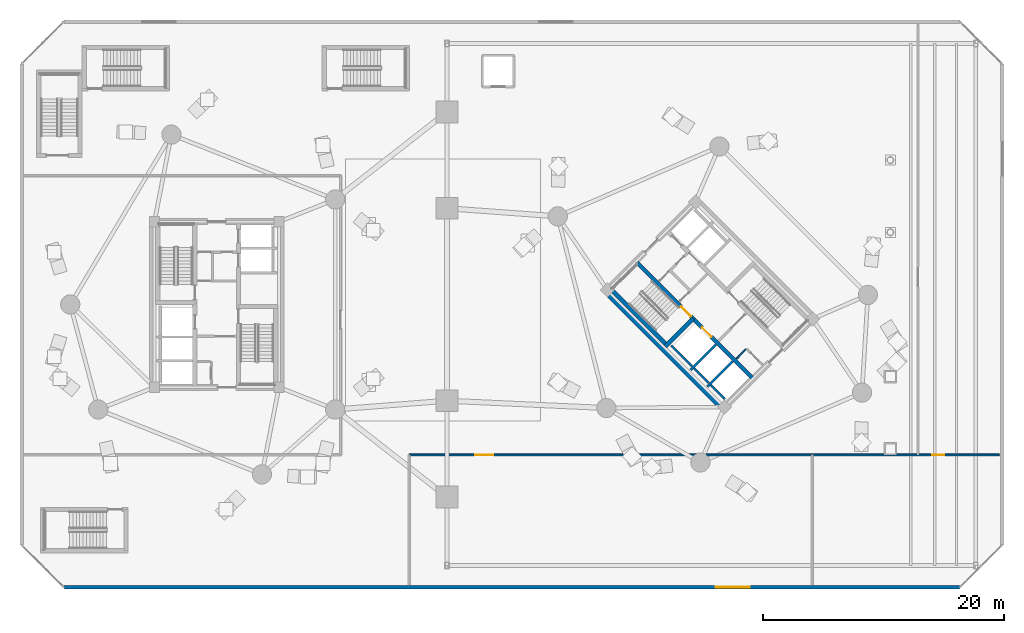
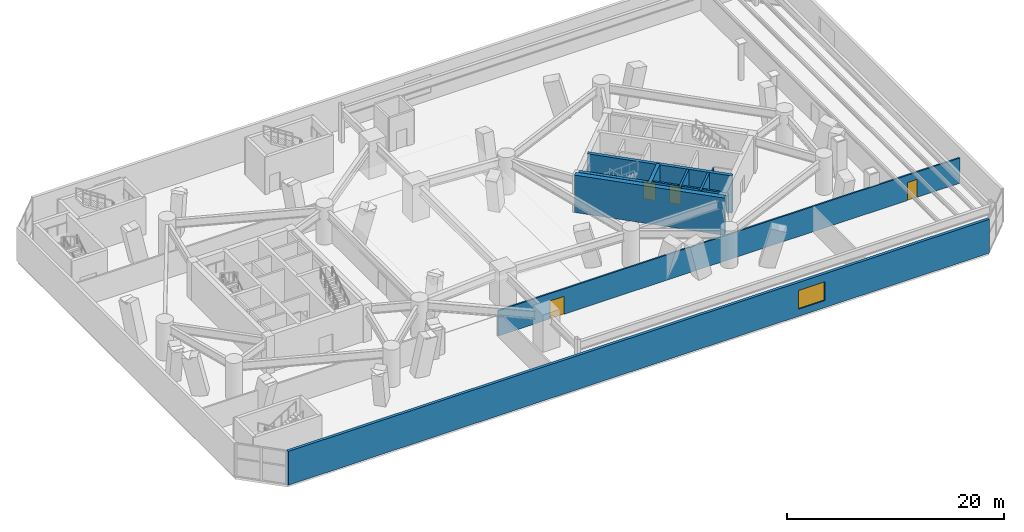
# One storey, part 12 of 20: 12 walls, 4 doors, 1 window, 5 openings.
"""IFC4 building model written with IfcOpenShell, lengths in metres."""

from ifc_helpers import new_model, si_unit, direction, frame, frame_2d, origin, place, context, subcontext, project, spatial, rectangle, extrude, source, transform, mapped, material, layer, layer_set, type_object, element, fill, save


model = new_model("IFC4")

# Units and contexts
model_context = context("Model", 3, precision=1e-05, world=origin(), true_north=direction((0.0, 1.0)))
body_context = subcontext(model_context, "Body", "Model", "MODEL_VIEW")
ifc_project = project(units=[si_unit("LENGTHUNIT", "METRE"), si_unit("AREAUNIT", "SQUARE_METRE"), si_unit("VOLUMEUNIT", "CUBIC_METRE"), si_unit("PLANEANGLEUNIT", "RADIAN"), si_unit("MASSUNIT", "GRAM", prefix="KILO")], contexts=[model_context])

# Site, building, storey
site_placement = place(None, origin())
site = spatial("IfcSite", under=ifc_project, at=site_placement, CompositionType="ELEMENT")
building_placement = place(site_placement, origin())
building = spatial("IfcBuilding", under=site, at=building_placement, Name="Cununo Teusaquillo Station Towers", CompositionType="ELEMENT")
storey_placement = place(building_placement, frame((0.0, 0.0, 13.199951171875)))
storey = spatial("IfcBuildingStorey", under=building, at=storey_placement, Name="L03", CompositionType="ELEMENT", Elevation=13.199951171875)

# Walls
ifc_material_1 = material(Name="Concrete C50/60", Category="concrete")
ifc_layer_1 = layer(ifc_material_1, 0.199951171875)
ifc_layer_set_1 = layer_set([ifc_layer_1], Name="Concrete C50/60")
wall_type_1 = type_object("IfcWallType", Name="WL-CORE-200", PredefinedType="SHEAR", material=ifc_layer_set_1)
wall_1_placement = place(storey_placement, frame((55.8876953125, 19.0693359375, 0.0), z_axis=(0.0, 0.0, 1.0), x_axis=(0.707106781187, 0.707106781187, 0.0)))
element("IfcWall", 1, at=wall_1_placement, inside=storey, type_object=wall_type_1, Name="L03 Tower B Firefighting Lift Shaft South Shear Wall", PredefinedType="SHEAR", context=body_context, shape_type="SweptSolid", body=[
    extrude(rectangle(XDim=2.969970703125, YDim=0.199951171875, at=frame_2d((1.48486328125, 0.0))), origin(), (0.0, 0.0, 1.0), 4.199951171875),
])
wall_2_placement = place(storey_placement, frame((56.01513671875, 19.366455078125, 0.0), z_axis=(0.0, 0.0, 1.0), x_axis=(-0.707106781187, 0.707106781187, 0.0)))
element("IfcWall", 2, at=wall_2_placement, inside=storey, type_object=wall_type_1, Name="L03 Tower B Firefighting Lift Shaft Rear Shear Wall", PredefinedType="SHEAR", context=body_context, shape_type="SweptSolid", body=[
    extrude(rectangle(XDim=2.43994140625, YDim=0.199951171875, at=frame_2d((1.219970703125, 0.0))), origin(), (0.0, 0.0, 1.0), 4.199951171875),
])
wall_3_placement = place(storey_placement, frame((57.2841796875, 17.6728515625, 0.0), z_axis=(0.0, 0.0, 1.0), x_axis=(0.707147878904, 0.70706568108, 0.0)))
element("IfcWall", 3, at=wall_3_placement, inside=storey, type_object=wall_type_1, Name="L03 Tower B High-Rise Lift Hoistway Divider Shear Wall", PredefinedType="SHEAR", context=body_context, shape_type="SweptSolid", body=[
    extrude(rectangle(XDim=2.97021484375, YDim=0.199951171875, at=frame_2d((1.485107421875, 0.0))), origin(), (0.0, 0.0, 1.0), 4.199951171875),
])
wall_4_placement = place(storey_placement, frame((57.41162109375, 17.969970703125, 0.0), z_axis=(0.0, 0.0, 1.0), x_axis=(-0.707106781187, 0.707106781187, 0.0)))
element("IfcWall", 4, at=wall_4_placement, inside=storey, type_object=wall_type_1, Name="L03 Tower B High-Rise Lift 2 Shaft Rear Shear Wall", PredefinedType="SHEAR", context=body_context, shape_type="SweptSolid", body=[
    extrude(rectangle(XDim=1.73486328125, YDim=0.199951171875, at=frame_2d((0.867431640625, 0.0))), origin(), (0.0, 0.0, 1.0), 4.199951171875),
])
wall_5_placement = place(storey_placement, frame((58.7373046875, 16.64404296875, 0.0), z_axis=(0.0, 0.0, 1.0), x_axis=(-0.707032117043, 0.707181437447, 0.0)))
element("IfcWall", 5, at=wall_5_placement, inside=storey, type_object=wall_type_1, Name="L03 Tower B High-Rise Lift 1 Shaft Rear Shear Wall", PredefinedType="SHEAR", context=body_context, shape_type="SweptSolid", body=[
    extrude(rectangle(XDim=1.635009765625, YDim=0.199951171875, at=frame_2d((0.8173828125, 0.0))), origin(), (0.0, 0.0, 1.0), 4.199951171875),
])

# Wall, openings, doors
ifc_material_2 = material(Name="Concrete C50/60", Category="concrete")
ifc_layer_2 = layer(ifc_material_2, 0.35009765625)
ifc_layer_set_2 = layer_set([ifc_layer_2], Name="Concrete C50/60")
wall_type_2 = type_object("IfcWallType", Name="WL-CORE-350", PredefinedType="SHEAR", material=ifc_layer_set_2)
wall_6_placement = place(storey_placement, frame((61.095703125, 18.337646484375, 0.0), z_axis=(0.0, 0.0, 1.0), x_axis=(-0.707106781187, 0.707106781187, 0.0)))
wall_6 = element("IfcWall", 6, at=wall_6_placement, inside=storey, type_object=wall_type_2, Name="L03 Tower B Core Shear Wall IW", PredefinedType="SHEAR", context=body_context, shape_type="SweptSolid", body=[
    extrude(rectangle(XDim=13.800048828125, YDim=0.35009765625, at=frame_2d((6.89990234375, 0.0))), origin(), (0.0, 0.0, 1.0), 4.199951171875),
])
shared_shape_1 = source(origin(), body_context, "Body", "SweptSolid", [
    extrude(rectangle(XDim=1.10009765625, YDim=2.014892578125, at=frame_2d((0.550048828125, 1.00732421875))), frame((0.0, 0.18505859375, 0.0), z_axis=(0.0, -1.0, 0.0), x_axis=(1.0, 0.0, 0.0)), (0.0, 0.0, 1.0), 0.3701171875),
])
opening_1_placement = place(wall_6_placement, frame((4.89990234375, 0.0, 0.0)))
opening_1 = element("IfcOpeningElement", 7, at=opening_1_placement, cuts=wall_6, Name="Opening LD-01", PredefinedType="OPENING", context=body_context, shape_type="MappedRepresentation", body=[
    mapped(shared_shape_1, transform((0.0, 0.0, 0.0), x_axis=(1.0, 0.0, 0.0), y_axis=(0.0, 1.0, 0.0), z_axis=(0.0, 0.0, 1.0), scale=1.0)),
])
shared_shape_2 = source(origin(), body_context, "Body", "SweptSolid", [
    extrude(rectangle(XDim=1.14990234375, YDim=2.02001953125, at=frame_2d((0.574951171875, 1.010009765625))), frame((0.0, 0.18505859375, 0.0), z_axis=(0.0, -1.0, 0.0), x_axis=(1.0, 0.0, 0.0)), (0.0, 0.0, 1.0), 0.3701171875),
])
opening_2_placement = place(wall_6_placement, frame((7.320068359375, 0.0, 0.0)))
opening_2 = element("IfcOpeningElement", 8, at=opening_2_placement, cuts=wall_6, Name="Opening D-ST1", PredefinedType="OPENING", context=body_context, shape_type="MappedRepresentation", body=[
    mapped(shared_shape_2, transform((0.0, 0.0, 0.0), x_axis=(1.0, 0.0, 0.0), y_axis=(0.0, 1.0, 0.0), z_axis=(0.0, 0.0, 1.0), scale=1.0)),
])
ifc_material_3 = material(Name="Galvanised fire-rated hollow steel door assembly", Category="steel")
door_type_1 = type_object("IfcDoorType", Name="DR-LIFT-1100", OperationType="SLIDING_TO_LEFT", PredefinedType="DOOR", material=ifc_material_3)
shared_shape_3 = source(origin(), body_context, "Body", "SweptSolid", [
    extrude(rectangle(XDim=1.10009765625, YDim=2.014892578125, at=frame_2d((0.550048828125, 1.00732421875))), frame((0.0, 0.02490234375, 0.0), z_axis=(0.0, -1.0, 0.0), x_axis=(1.0, 0.0, 0.0)), (0.0, 0.0, 1.0), 0.050048828125),
])
door_1_placement = place(opening_1_placement, origin())
door_1 = element("IfcDoor", 9, at=door_1_placement, inside=storey, type_object=door_type_1, Name="L03 Lift FL-T2 Sliding Landing Door", OperationType="SLIDING_TO_LEFT", OverallHeight=2.014892578125, OverallWidth=1.10009765625, PredefinedType="DOOR", context=body_context, shape_type="MappedRepresentation", body=[
    mapped(shared_shape_3, transform((0.0, 0.0, 0.0), x_axis=(1.0, 0.0, 0.0), y_axis=(0.0, 1.0, 0.0), z_axis=(0.0, 0.0, 1.0), scale=1.0)),
])
fill(opening_1, door_1)
ifc_material_4 = material(Name="Galvanised fire-rated hollow steel door assembly", Category="steel")
door_type_2 = type_object("IfcDoorType", Name="DR-STAIR-1150", OperationType="NOTDEFINED", PredefinedType="DOOR", material=ifc_material_4)
shared_shape_4 = source(origin(), body_context, "Body", "SweptSolid", [
    extrude(rectangle(XDim=1.14990234375, YDim=2.02001953125, at=frame_2d((0.574951171875, 1.010009765625))), frame((0.0, 0.02490234375, 0.0), z_axis=(0.0, -1.0, 0.0), x_axis=(1.0, 0.0, 0.0)), (0.0, 0.0, 1.0), 0.050048828125),
])
door_2_placement = place(opening_2_placement, origin())
door_2 = element("IfcDoor", 10, at=door_2_placement, inside=storey, type_object=door_type_2, Name="L03 Tower B Exit Stair 1 Fire Door", OperationType="SINGLE_SWING_LEFT", OverallHeight=2.02001953125, OverallWidth=1.14990234375, PredefinedType="DOOR", context=body_context, shape_type="MappedRepresentation", body=[
    mapped(shared_shape_4, transform((0.0, 0.0, 0.0), x_axis=(1.0, 0.0, 0.0), y_axis=(0.0, 1.0, 0.0), z_axis=(0.0, 0.0, 1.0), scale=1.0)),
])
fill(opening_2, door_2)

# Walls
wall_7_placement = place(storey_placement, frame((53.922119140625, 21.14111328125, 0.0), z_axis=(0.0, 0.0, 1.0), x_axis=(-0.707106781187, 0.707106781187, 0.0)))
element("IfcWall", 11, at=wall_7_placement, inside=storey, type_object=wall_type_2, Name="L03 Tower B Core Shear Wall ST1W", PredefinedType="SHEAR", context=body_context, shape_type="SweptSolid", body=[
    extrude(rectangle(XDim=6.7451171875, YDim=0.35009765625, at=frame_2d((3.37255859375, 0.0))), origin(), (0.0, 0.0, 1.0), 4.199951171875),
])
wall_8_placement = place(storey_placement, frame((53.7841796875, 21.00341796875, 0.0), z_axis=(0.0, 0.0, 1.0), x_axis=(0.707106781187, 0.707106781187, 0.0)))
element("IfcWall", 12, at=wall_8_placement, inside=storey, type_object=wall_type_2, Name="L03 Tower B Core Shear Wall ST1S", PredefinedType="SHEAR", context=body_context, shape_type="SweptSolid", body=[
    extrude(rectangle(XDim=3.284912109375, YDim=0.35009765625, at=frame_2d((1.642578125, 0.0))), origin(), (0.0, 0.0, 1.0), 4.199951171875),
])
ifc_material_5 = material(Name="Concrete C60/75", Category="concrete")
ifc_layer_3 = layer(ifc_material_5, 0.5)
ifc_layer_set_3 = layer_set([ifc_layer_3], Name="Concrete C60/75")
wall_type_3 = type_object("IfcWallType", Name="WL-CORE-500", PredefinedType="SHEAR", material=ifc_layer_set_3)
wall_9_placement = place(storey_placement, frame((58.772705078125, 15.6611328125, 0.0), z_axis=(0.0, 0.0, 1.0), x_axis=(-0.707106781187, 0.707106781187, 0.0)))
element("IfcWall", 13, at=wall_9_placement, inside=storey, type_object=wall_type_3, Name="L03 Tower B Core Shear Wall W", PredefinedType="SHEAR", context=body_context, shape_type="SweptSolid", body=[
    extrude(rectangle(XDim=14.2998046875, YDim=0.5, at=frame_2d((7.14990234375, 0.0))), origin(), (0.0, 0.0, 1.0), 4.199951171875),
])

# Wall, opening, window
ifc_material_6 = material(Name="Precast concrete C40/50", Category="concrete")
ifc_layer_4 = layer(ifc_material_6, 0.300048828125)
ifc_layer_set_4 = layer_set([ifc_layer_4], Name="Precast concrete C40/50")
wall_type_4 = type_object("IfcWallType", Name="WL-EXT-300", PredefinedType="SOLIDWALL", material=ifc_layer_set_4)
wall_10_placement = place(storey_placement, frame((78.300048828125, 1.0, 0.0), z_axis=(0.0, 0.0, 1.0), x_axis=(-1.0, 0.0, 0.0)))
wall_10 = element("IfcWall", 14, at=wall_10_placement, inside=storey, type_object=wall_type_4, Name="L03 Station Podium Facade Wall 7", PredefinedType="SOLIDWALL", context=body_context, shape_type="SweptSolid", body=[
    extrude(rectangle(XDim=74.5, YDim=0.300048828125, at=frame_2d((37.25, 0.0))), origin(), (0.0, 0.0, 1.0), 3.800048828125),
])
shared_shape_5 = source(origin(), body_context, "Body", "SweptSolid", [
    extrude(rectangle(XDim=2.800048828125, YDim=2.10009765625, at=frame_2d((1.39990234375, 1.050048828125))), frame((0.0, 0.159912109375, 0.0), z_axis=(0.0, -1.0, 0.0), x_axis=(1.0, 0.0, 0.0)), (0.0, 0.0, 1.0), 0.320068359375),
])
opening_3_placement = place(wall_10_placement, frame((17.5, 0.0, 0.800048828125)))
opening_3 = element("IfcOpeningElement", 15, at=opening_3_placement, cuts=wall_10, Name="Opening WN-05", PredefinedType="OPENING", context=body_context, shape_type="MappedRepresentation", body=[
    mapped(shared_shape_5, transform((0.0, 0.0, 0.0), x_axis=(1.0, 0.0, 0.0), y_axis=(0.0, 1.0, 0.0), z_axis=(0.0, 0.0, 1.0), scale=1.0)),
])
ifc_material_7 = material(Name="Laminated acoustic clear low-E glazing", Category="glass")
window_type = type_object("IfcWindowType", Name="WIN-POD-2800", PartitioningType="TRIPLE_PANEL_VERTICAL", PredefinedType="WINDOW", material=ifc_material_7)
shared_shape_6 = source(origin(), body_context, "Body", "SweptSolid", [
    extrude(rectangle(XDim=2.800048828125, YDim=2.10009765625, at=frame_2d((1.39990234375, 1.050048828125))), frame((0.0, 0.030029296875, 0.0), z_axis=(0.0, -1.0, 0.0), x_axis=(1.0, 0.0, 0.0)), (0.0, 0.0, 1.0), 0.06005859375),
])
window_placement = place(opening_3_placement, origin())
window = element("IfcWindow", 16, at=window_placement, inside=storey, type_object=window_type, Name="L03 Podium Ribbon Window 7.2", OverallHeight=2.10009765625, OverallWidth=2.800048828125, PartitioningType="TRIPLE_PANEL_VERTICAL", PredefinedType="WINDOW", context=body_context, shape_type="MappedRepresentation", body=[
    mapped(shared_shape_6, transform((0.0, 0.0, 0.0), x_axis=(1.0, 0.0, 0.0), y_axis=(0.0, 1.0, 0.0), z_axis=(0.0, 0.0, 1.0), scale=1.0)),
])
fill(opening_3, window)

# Wall
ifc_material_8 = material(Name="Fire-rated gypsum plasterboard partition assembly", Category="gypsum")
ifc_layer_5 = layer(ifc_material_8, 0.125)
ifc_layer_set_5 = layer_set([ifc_layer_5], Name="Fire-rated gypsum plasterboard partition assembly")
wall_type_5 = type_object("IfcWallType", Name="WL-PART-125", PredefinedType="PARTITIONING", material=ifc_layer_set_5)
wall_11_placement = place(storey_placement, frame((59.713134765625, 19.99560546875, 0.0), z_axis=(0.0, 0.0, 1.0), x_axis=(0.707217726, 0.706995818963, 0.0)))
element("IfcWall", 17, at=wall_11_placement, inside=storey, type_object=wall_type_5, Name="L03 Tower B South-West Compact Store North Wall", PredefinedType="PARTITIONING", context=body_context, shape_type="SweptSolid", body=[
    extrude(rectangle(XDim=1.10009765625, YDim=0.125, at=frame_2d((0.550048828125, 0.0))), origin(), (0.0, 0.0, 1.0), 3.800048828125),
])

# Wall, openings, doors
ifc_material_9 = material(Name="Fire-rated gypsum plasterboard partition assembly", Category="gypsum")
ifc_layer_6 = layer(ifc_material_9, 0.159912109375)
ifc_layer_set_6 = layer_set([ifc_layer_6], Name="Fire-rated gypsum plasterboard partition assembly")
wall_type_6 = type_object("IfcWallType", Name="WL-PART-160", PredefinedType="PARTITIONING", material=ifc_layer_set_6)
wall_12_placement = place(storey_placement, frame((32.5, 12.0, 0.0), z_axis=(0.0, 0.0, 1.0), x_axis=(1.0, 0.0, 0.0)))
wall_12 = element("IfcWall", 18, at=wall_12_placement, inside=storey, type_object=wall_type_6, Name="L03 South Wing Corridor Wall", PredefinedType="PARTITIONING", context=body_context, shape_type="SweptSolid", body=[
    extrude(rectangle(XDim=49.050048828125, YDim=0.159912109375, at=frame_2d((24.52490234375, 0.0))), origin(), (0.0, 0.0, 1.0), 2.843994140625),
])
shared_shape_7 = source(origin(), body_context, "Body", "SweptSolid", [
    extrude(rectangle(XDim=1.5, YDim=2.02001953125, at=frame_2d((0.75, 1.010009765625))), frame((0.0, 0.08984375, 0.0), z_axis=(0.0, -1.0, 0.0), x_axis=(1.0, 0.0, 0.0)), (0.0, 0.0, 1.0), 0.179931640625),
])
opening_4_placement = place(wall_12_placement, frame((5.5, 0.0, 0.0)))
opening_4 = element("IfcOpeningElement", 19, at=opening_4_placement, cuts=wall_12, Name="Opening D-LB1", PredefinedType="OPENING", context=body_context, shape_type="MappedRepresentation", body=[
    mapped(shared_shape_7, transform((0.0, 0.0, 0.0), x_axis=(1.0, 0.0, 0.0), y_axis=(0.0, 1.0, 0.0), z_axis=(0.0, 0.0, 1.0), scale=1.0)),
])
shared_shape_8 = source(origin(), body_context, "Body", "SweptSolid", [
    extrude(rectangle(XDim=1.0, YDim=2.014892578125, at=frame_2d((0.5, 1.00732421875))), frame((0.0, 0.08984375, 0.0), z_axis=(0.0, -1.0, 0.0), x_axis=(1.0, 0.0, 0.0)), (0.0, 0.0, 1.0), 0.179931640625),
])
opening_5_placement = place(wall_12_placement, frame((43.5, 0.0, 0.0)))
opening_5 = element("IfcOpeningElement", 20, at=opening_5_placement, cuts=wall_12, Name="Opening D-AC1", PredefinedType="OPENING", context=body_context, shape_type="MappedRepresentation", body=[
    mapped(shared_shape_8, transform((0.0, 0.0, 0.0), x_axis=(1.0, 0.0, 0.0), y_axis=(0.0, 1.0, 0.0), z_axis=(0.0, 0.0, 1.0), scale=1.0)),
])
ifc_material_10 = material(Name="Galvanised fire-rated hollow steel door assembly", Category="steel")
door_type_3 = type_object("IfcDoorType", Name="DR-LOBBY-1500", OperationType="DOUBLE_DOOR_SINGLE_SWING", PredefinedType="DOOR", material=ifc_material_10)
shared_shape_9 = source(origin(), body_context, "Body", "SweptSolid", [
    extrude(rectangle(XDim=1.5, YDim=2.02001953125, at=frame_2d((0.75, 1.010009765625))), frame((0.0, 0.02490234375, 0.0), z_axis=(0.0, -1.0, 0.0), x_axis=(1.0, 0.0, 0.0)), (0.0, 0.0, 1.0), 0.050048828125),
])
door_3_placement = place(opening_4_placement, origin())
door_3 = element("IfcDoor", 21, at=door_3_placement, inside=storey, type_object=door_type_3, Name="L03 South Salon Entrance Door", OperationType="DOUBLE_DOOR_SINGLE_SWING", OverallHeight=2.02001953125, OverallWidth=1.5, PredefinedType="DOOR", context=body_context, shape_type="MappedRepresentation", body=[
    mapped(shared_shape_9, transform((0.0, 0.0, 0.0), x_axis=(1.0, 0.0, 0.0), y_axis=(0.0, 1.0, 0.0), z_axis=(0.0, 0.0, 1.0), scale=1.0)),
])
fill(opening_4, door_3)
ifc_material_11 = material(Name="Acoustic solid-core hardwood leaf assembly", Category="wood")
door_type_4 = type_object("IfcDoorType", Name="DR-ACC-1000", OperationType="NOTDEFINED", PredefinedType="DOOR", material=ifc_material_11)
shared_shape_10 = source(origin(), body_context, "Body", "SweptSolid", [
    extrude(rectangle(XDim=1.0, YDim=2.014892578125, at=frame_2d((0.5, 1.00732421875))), frame((0.0, 0.02490234375, 0.0), z_axis=(0.0, -1.0, 0.0), x_axis=(1.0, 0.0, 0.0)), (0.0, 0.0, 1.0), 0.050048828125),
])
door_4_placement = place(opening_5_placement, origin())
door_4 = element("IfcDoor", 22, at=door_4_placement, inside=storey, type_object=door_type_4, Name="L03 Public & Accessible Restrooms Door", OperationType="SINGLE_SWING_RIGHT", OverallHeight=2.014892578125, OverallWidth=1.0, PredefinedType="DOOR", context=body_context, shape_type="MappedRepresentation", body=[
    mapped(shared_shape_10, transform((0.0, 0.0, 0.0), x_axis=(1.0, 0.0, 0.0), y_axis=(0.0, 1.0, 0.0), z_axis=(0.0, 0.0, 1.0), scale=1.0)),
])
fill(opening_5, door_4)

save(model, "model.ifc")
